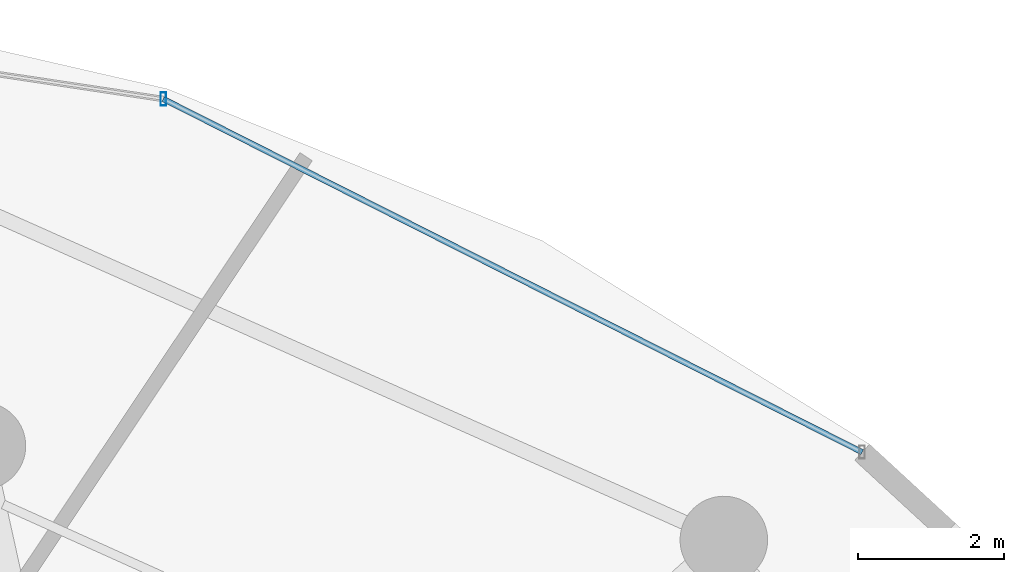
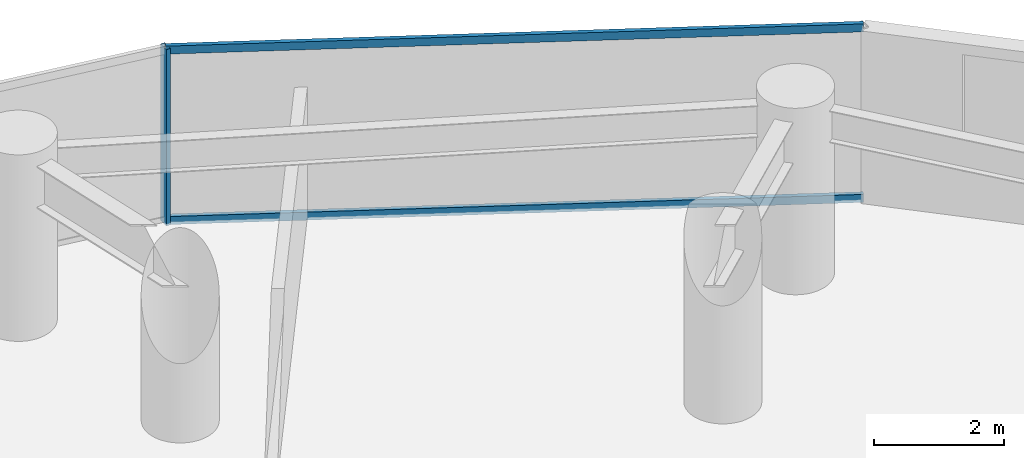
# One storey, part 24 of 35: 3 members, 1 element without a shape of its own.
"""IFC4 building model written with IfcOpenShell, lengths in metres."""

from ifc_helpers import new_model, si_unit, direction, frame, origin, origin_2d, place, context, subcontext, project, spatial, hollow_rectangle, extrude, material, material_profile, profile_set, type_object, element, aggregate, save


model = new_model("IFC4")

# Units and contexts
model_context = context("Model", 3, precision=1e-05, world=origin(), true_north=direction((0.0, 1.0)))
body_context = subcontext(model_context, "Body", "Model", "MODEL_VIEW")
ifc_project = project(units=[si_unit("LENGTHUNIT", "METRE"), si_unit("AREAUNIT", "SQUARE_METRE"), si_unit("VOLUMEUNIT", "CUBIC_METRE"), si_unit("PLANEANGLEUNIT", "RADIAN"), si_unit("MASSUNIT", "GRAM", prefix="KILO")], contexts=[model_context])

# Site, building, storey
site_placement = place(None, origin())
site = spatial("IfcSite", under=ifc_project, at=site_placement, CompositionType="ELEMENT")
building_placement = place(site_placement, origin())
building = spatial("IfcBuilding", under=site, at=building_placement, Name="Vorneva Point Tower", CompositionType="ELEMENT")
storey_placement = place(building_placement, frame((0.0, 0.0, 48.5)))
storey = spatial("IfcBuildingStorey", under=building, at=storey_placement, Name="L12", CompositionType="ELEMENT", Elevation=48.5)

# Curtain wall, members
ifc_material = material(Name="Pale anodised aluminium", Category="aluminium")
curtain_wall_type = type_object("IfcCurtainWallType", Name="CW-HTL-SYS", PredefinedType="NOTDEFINED", material=ifc_material)
curtain_wall_placement = place(storey_placement, origin())
curtain_wall = element("IfcCurtainWall", 1, at=curtain_wall_placement, inside=storey, type_object=curtain_wall_type, Name="L12 Unitised Curtain Wall CW-L12-R02", PredefinedType="NOTDEFINED")
ifc_material_profile_1 = material_profile(ifc_material, hollow_rectangle(XDim=0.074951171875, YDim=0.179931640625, WallThickness=0.00390625, at=origin_2d()), Name="AL-MUL 180x75x4")
ifc_profile_set_1 = profile_set([ifc_material_profile_1], Name="Pale anodised aluminium")
member_type_1 = type_object("IfcMemberType", Name="CW-MUL-180", PredefinedType="MULLION", material=ifc_profile_set_1)
member_1_placement = place(storey_placement, frame((49.308349609375, 46.648681640625, -0.0400390625), z_axis=(0.0, 0.0, 1.0), x_axis=(1.0, 0.0, 0.0)))
member_1 = element("IfcMember", 2, at=member_1_placement, type_object=member_type_1, Name="CW-L12-R02 Mullion 02", PredefinedType="MULLION", context=body_context, shape_type="SweptSolid", body=[
    extrude(hollow_rectangle(XDim=0.074951171875, YDim=0.179931640625, WallThickness=0.00390625, at=origin_2d()), origin(), (0.0, 0.0, 1.0), 3.31005859375),
])
ifc_material_profile_2 = material_profile(ifc_material, hollow_rectangle(XDim=0.074951171875, YDim=0.14990234375, WallThickness=0.00390625, at=origin_2d()), Name="AL-TRN 150x75x4")
ifc_profile_set_2 = profile_set([ifc_material_profile_2], Name="Pale anodised aluminium")
member_type_2 = type_object("IfcMemberType", Name="CW-TRN-150", PredefinedType="USERDEFINED", material=ifc_profile_set_2)
member_2_placement = place(storey_placement, frame((58.89501953125, 41.8037109375, 0.02001953125), z_axis=(-0.892496057621, 0.451055192999, 0.0), x_axis=(-0.451055192999, -0.892496057621, 0.0)))
member_2 = element("IfcMember", 3, at=member_2_placement, type_object=member_type_2, Name="CW-L12-R02 Transom 01.1", ObjectType="TRANSOM", PredefinedType="USERDEFINED", context=body_context, shape_type="SweptSolid", body=[
    extrude(hollow_rectangle(XDim=0.074951171875, YDim=0.14990234375, WallThickness=0.00390625, at=origin_2d()), origin(), (0.0, 0.0, 1.0), 10.741455078125),
])
member_3_placement = place(storey_placement, frame((58.89501953125, 41.8037109375, 3.219970703125), z_axis=(-0.892496057621, 0.451055192999, 0.0), x_axis=(-0.451055192999, -0.892496057621, 0.0)))
member_3 = element("IfcMember", 4, at=member_3_placement, type_object=member_type_2, Name="CW-L12-R02 Transom 01.2", ObjectType="TRANSOM", PredefinedType="USERDEFINED", context=body_context, shape_type="SweptSolid", body=[
    extrude(hollow_rectangle(XDim=0.074951171875, YDim=0.14990234375, WallThickness=0.00390625, at=origin_2d()), origin(), (0.0, 0.0, 1.0), 10.741455078125),
])
aggregate(curtain_wall, [member_1, member_2, member_3])

save(model, "model.ifc")
